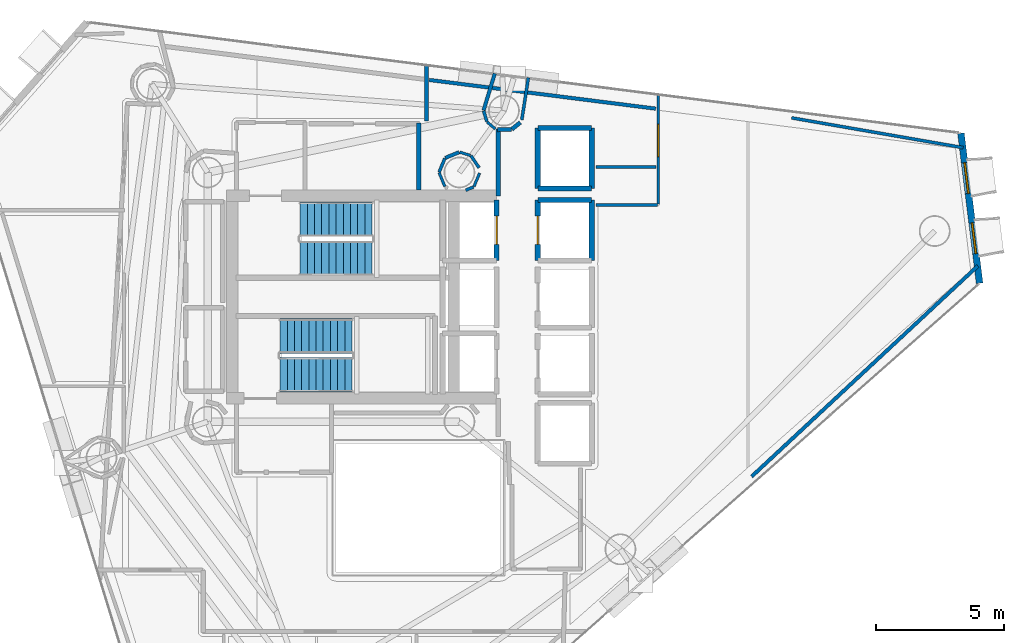
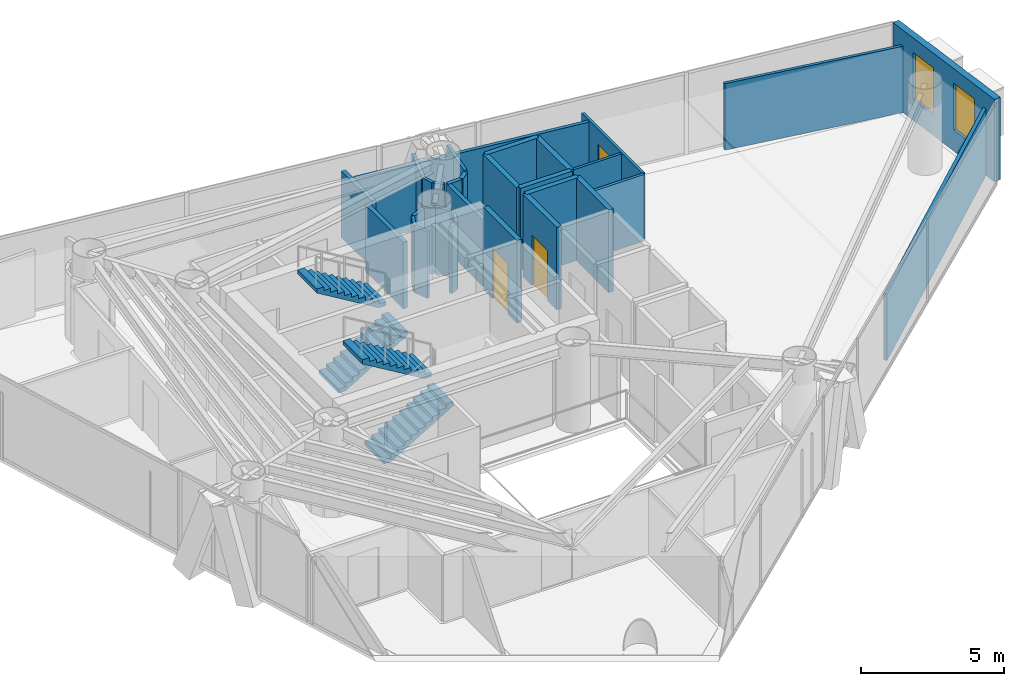
# One storey, part 20 of 23: 31 walls, 4 stair flights, 3 doors, 2 windows, 5 openings, 2 elements without a shape of their own.
"""IFC4 building model written with IfcOpenShell, lengths in metres."""

from ifc_helpers import new_model, si_unit, direction, frame, frame_2d, origin, place, context, subcontext, project, spatial, polyline, rectangle, outline, extrude, material, layer, layer_set, type_object, element, fill, aggregate, save


model = new_model("IFC4")

# Units and contexts
model_context = context("Model", 3, precision=1e-05, world=origin(), true_north=direction((0.0, 1.0)))
body_context = subcontext(model_context, "Body", "Model", "MODEL_VIEW")
ifc_project = project(units=[si_unit("LENGTHUNIT", "METRE"), si_unit("AREAUNIT", "SQUARE_METRE"), si_unit("VOLUMEUNIT", "CUBIC_METRE"), si_unit("PLANEANGLEUNIT", "RADIAN"), si_unit("MASSUNIT", "GRAM", prefix="KILO")], contexts=[model_context])

# Site, building, storey
site_placement = place(None, origin())
site = spatial("IfcSite", under=ifc_project, at=site_placement, CompositionType="ELEMENT")
building_placement = place(site_placement, origin())
building = spatial("IfcBuilding", under=site, at=building_placement, Name="Qianvela Tower", CompositionType="ELEMENT")
storey_placement = place(building_placement, frame((0.0, 0.0, 218.800048828125)))
storey = spatial("IfcBuildingStorey", under=building, at=storey_placement, Name="L56", CompositionType="ELEMENT", Elevation=218.800048828125)

# Wall, openings, windows
ifc_material_1 = material(Name="Terracotta Cladding on Concrete C40", Category="masonry")
ifc_layer_1 = layer(ifc_material_1, 0.260009765625)
ifc_layer_set_1 = layer_set([ifc_layer_1], Name="Terracotta Cladding on Concrete C40")
wall_type_1 = type_object("IfcWallType", Name="TERRACOTTA-WALL-260", PredefinedType="SOLIDWALL", material=ifc_layer_set_1)
wall_1_placement = place(storey_placement, frame((58.645263671875, 29.2373046875, 0.0), z_axis=(0.0, 0.0, 1.0), x_axis=(-0.123529462053, 0.992340905135, 0.0)))
wall_1 = element("IfcWall", 1, at=wall_1_placement, inside=storey, type_object=wall_type_1, Name="L56 Terracotta Chamfer Facet Wall 1", PredefinedType="SOLIDWALL", context=body_context, shape_type="SweptSolid", body=[
    extrude(rectangle(XDim=5.8876953125, YDim=0.260009765625, at=frame_2d((2.94384765625, 0.0))), origin(), (0.0, 0.0, 1.0), 3.52001953125),
])
opening_1_placement = place(wall_1_placement, frame((1.166259765625, 0.0, 0.89990234375)))
opening_1 = element("IfcOpeningElement", 2, at=opening_1_placement, cuts=wall_1, Name="Opening W-03", PredefinedType="OPENING", context=body_context, shape_type="SweptSolid", body=[
    extrude(rectangle(XDim=1.199951171875, YDim=2.0, at=frame_2d((0.60009765625, 1.0))), frame((0.0, 0.139892578125, 0.0), z_axis=(0.0, -1.0, 0.0), x_axis=(1.0, 0.0, 0.0)), (0.0, 0.0, 1.0), 0.280029296875),
])
opening_2_placement = place(wall_1_placement, frame((3.521240234375, 0.0, 0.89990234375)))
opening_2 = element("IfcOpeningElement", 3, at=opening_2_placement, cuts=wall_1, Name="Opening W-03", PredefinedType="OPENING", context=body_context, shape_type="SweptSolid", body=[
    extrude(rectangle(XDim=1.199951171875, YDim=2.0, at=frame_2d((0.60009765625, 1.0))), frame((0.0, 0.139892578125, 0.0), z_axis=(0.0, -1.0, 0.0), x_axis=(1.0, 0.0, 0.0)), (0.0, 0.0, 1.0), 0.280029296875),
])
ifc_material_2 = material(Name="Thermally Broken Aluminium and Low-E Glass", Category="aluminium")
window_type = type_object("IfcWindowType", Name="WIN-TC-1200x2000", PartitioningType="SINGLE_PANEL", PredefinedType="WINDOW", material=ifc_material_2)
window_1_placement = place(opening_1_placement, origin())
window_1 = element("IfcWindow", 4, at=window_1_placement, inside=storey, type_object=window_type, Name="L56 Chamfer Facet Window 1.1", OverallHeight=2.0, OverallWidth=1.199951171875, PartitioningType="SINGLE_PANEL", PredefinedType="WINDOW", context=body_context, shape_type="SweptSolid", body=[
    extrude(rectangle(XDim=1.199951171875, YDim=2.0, at=frame_2d((0.60009765625, 1.0))), frame((0.0, 0.030029296875, 0.0), z_axis=(0.0, -1.0, 0.0), x_axis=(1.0, 0.0, 0.0)), (0.0, 0.0, 1.0), 0.06005859375),
])
fill(opening_1, window_1)
window_2_placement = place(opening_2_placement, origin())
window_2 = element("IfcWindow", 5, at=window_2_placement, inside=storey, type_object=window_type, Name="L56 Chamfer Facet Window 1.2", OverallHeight=2.0, OverallWidth=1.199951171875, PartitioningType="SINGLE_PANEL", PredefinedType="WINDOW", context=body_context, shape_type="SweptSolid", body=[
    extrude(rectangle(XDim=1.199951171875, YDim=2.0, at=frame_2d((0.60009765625, 1.0))), frame((0.0, 0.030029296875, 0.0), z_axis=(0.0, -1.0, 0.0), x_axis=(1.0, 0.0, 0.0)), (0.0, 0.0, 1.0), 0.06005859375),
])
fill(opening_2, window_2)

# Walls
ifc_material_3 = material(Name="Fire-Rated Gypsum and Concrete Block", Category="concrete")
ifc_layer_2 = layer(ifc_material_3, 0.159912109375)
ifc_layer_set_2 = layer_set([ifc_layer_2], Name="Fire-Rated Gypsum and Concrete Block")
wall_type_2 = type_object("IfcWallType", Name="WT-CORR-160", PredefinedType="PARTITIONING", material=ifc_layer_set_2)
wall_2_placement = place(storey_placement, frame((39.910888671875, 32.639892578125, 0.0), z_axis=(0.0, 0.0, 1.0), x_axis=(0.0, 1.0, 0.0)))
element("IfcWall", 6, at=wall_2_placement, inside=storey, type_object=wall_type_2, Name="L56 Partition 12", PredefinedType="PARTITIONING", context=body_context, shape_type="SweptSolid", body=[
    extrude(rectangle(XDim=2.60400390625, YDim=0.159912109375, at=frame_2d((1.302001953125, 0.0))), origin(), (0.0, 0.0, 1.0), 2.83984375),
])
wall_3_placement = place(storey_placement, frame((39.880615234375, 35.212890625, 0.0), z_axis=(0.0, 0.0, 1.0), x_axis=(0.999756500784, 0.02206669754, 0.0)))
element("IfcWall", 7, at=wall_3_placement, inside=storey, type_object=wall_type_2, Name="L56 Partition 13", PredefinedType="PARTITIONING", context=body_context, shape_type="SweptSolid", body=[
    extrude(rectangle(XDim=0.542236328125, YDim=0.159912109375, at=frame_2d((0.27099609375, 0.0))), origin(), (0.0, 0.0, 1.0), 2.83984375),
])
wall_4_placement = place(storey_placement, frame((40.44140625, 35.231689453125, 0.0), z_axis=(0.0, 0.0, 1.0), x_axis=(0.778714564707, 0.627378376033, 0.0)))
element("IfcWall", 8, at=wall_4_placement, inside=storey, type_object=wall_type_2, Name="L56 Partition 14", PredefinedType="PARTITIONING", context=body_context, shape_type="SweptSolid", body=[
    extrude(rectangle(XDim=0.421142578125, YDim=0.159912109375, at=frame_2d((0.21044921875, 0.0))), origin(), (0.0, 0.0, 1.0), 2.83984375),
])
wall_5_placement = place(storey_placement, frame((37.118896484375, 37.739501953125, 0.0), z_axis=(0.0, 0.0, 1.0), x_axis=(0.0, -1.0, 0.0)))
element("IfcWall", 9, at=wall_5_placement, inside=storey, type_object=wall_type_2, Name="L56 Partition 52", PredefinedType="PARTITIONING", context=body_context, shape_type="SweptSolid", body=[
    extrude(rectangle(XDim=2.179443359375, YDim=0.159912109375, at=frame_2d((1.08984375, 0.0))), origin(), (0.0, 0.0, 1.0), 2.83984375),
])

# Wall, opening, door
ifc_material_4 = material(Name="Lightweight Gypsum Room Partition")
ifc_layer_3 = layer(ifc_material_4, 0.10498046875)
ifc_layer_set_3 = layer_set([ifc_layer_3], Name="Lightweight Gypsum Room Partition")
wall_type_3 = type_object("IfcWallType", Name="WT-PART-105", PredefinedType="PARTITIONING", material=ifc_layer_set_3)
wall_6_placement = place(storey_placement, frame((46.135498046875, 32.318115234375, 0.0), z_axis=(0.0, 0.0, 1.0), x_axis=(0.000399588962, 0.999999920164, 0.0)))
wall_6 = element("IfcWall", 10, at=wall_6_placement, inside=storey, type_object=wall_type_3, Name="L56 Partition 104", PredefinedType="PARTITIONING", context=body_context, shape_type="SweptSolid", body=[
    extrude(rectangle(XDim=4.27685546875, YDim=0.10498046875, at=frame_2d((2.138427734375, 0.0))), origin(), (0.0, 0.0, 1.0), 2.83984375),
])
opening_3_placement = place(wall_6_placement, frame((1.849365234375, 0.0, 0.0)))
opening_3 = element("IfcOpeningElement", 11, at=opening_3_placement, cuts=wall_6, Name="Opening D-LG1", PredefinedType="OPENING", context=body_context, shape_type="SweptSolid", body=[
    extrude(rectangle(XDim=1.25, YDim=2.199951171875, at=frame_2d((0.625, 1.10009765625))), frame((0.0, 0.0625, 0.0), z_axis=(0.0, -1.0, 0.0), x_axis=(1.0, 0.0, 0.0)), (0.0, 0.0, 1.0), 0.125),
])
ifc_material_5 = material(Name="Anodised Aluminium Acoustic Glass Door", Category="aluminium")
door_type_1 = type_object("IfcDoorType", Name="DT-LOUNGE-1250", OperationType="NOTDEFINED", PredefinedType="DOOR", material=ifc_material_5)
door_1_placement = place(opening_3_placement, origin())
door_1 = element("IfcDoor", 12, at=door_1_placement, inside=storey, type_object=door_type_1, Name="L56 Door Academic Cellular Office L56-04 to Quiet Desk Workspace L56-03", OperationType="SINGLE_SWING_LEFT", OverallHeight=2.199951171875, OverallWidth=1.25, PredefinedType="DOOR", context=body_context, shape_type="SweptSolid", body=[
    extrude(rectangle(XDim=1.25, YDim=2.199951171875, at=frame_2d((0.625, 1.10009765625))), frame((0.0, 0.02490234375, 0.0), z_axis=(0.0, -1.0, 0.0), x_axis=(1.0, 0.0, 0.0)), (0.0, 0.0, 1.0), 0.050048828125),
])
fill(opening_3, door_1)

# Walls
wall_7_placement = place(storey_placement, frame((39.47900390625, 35.51220703125, 0.0), z_axis=(0.0, 0.0, 1.0), x_axis=(0.764834909506, -0.644226327622, 0.0)))
element("IfcWall", 13, at=wall_7_placement, inside=storey, type_object=wall_type_3, Name="L56 Partition 113", PredefinedType="PARTITIONING", context=body_context, shape_type="SweptSolid", body=[
    extrude(rectangle(XDim=0.4150390625, YDim=0.10498046875, at=frame_2d((0.20751953125, 0.0))), origin(), (0.0, 0.0, 1.0), 2.83984375),
])
wall_8_placement = place(storey_placement, frame((38.831298828125, 34.211669921875, 0.0), z_axis=(0.0, 0.0, 1.0), x_axis=(-0.957061618741, 0.289884559665, 0.0)))
element("IfcWall", 14, at=wall_8_placement, inside=storey, type_object=wall_type_3, Name="L56 Partition 116", PredefinedType="PARTITIONING", context=body_context, shape_type="SweptSolid", body=[
    extrude(rectangle(XDim=0.44140625, YDim=0.10498046875, at=frame_2d((0.220703125, 0.0))), origin(), (0.0, 0.0, 1.0), 2.83984375),
])
wall_9_placement = place(storey_placement, frame((37.611328125, 33.5380859375, 0.0), z_axis=(0.0, 0.0, 1.0), x_axis=(0.382796622927, -0.923832639322, 0.0)))
element("IfcWall", 15, at=wall_9_placement, inside=storey, type_object=wall_type_3, Name="L56 Partition 119", PredefinedType="PARTITIONING", context=body_context, shape_type="SweptSolid", body=[
    extrude(rectangle(XDim=0.58154296875, YDim=0.10498046875, at=frame_2d((0.290771484375, 0.0))), origin(), (0.0, 0.0, 1.0), 2.83984375),
])
wall_10_placement = place(storey_placement, frame((38.966064453125, 33.00048828125, 0.0), z_axis=(0.0, 0.0, 1.0), x_axis=(0.389247517771, 0.921133198788, 0.0)))
element("IfcWall", 16, at=wall_10_placement, inside=storey, type_object=wall_type_3, Name="L56 Partition 122", PredefinedType="PARTITIONING", context=body_context, shape_type="SweptSolid", body=[
    extrude(rectangle(XDim=0.568359375, YDim=0.10498046875, at=frame_2d((0.2841796875, 0.0))), origin(), (0.0, 0.0, 1.0), 2.83984375),
])
wall_11_placement = place(storey_placement, frame((46.043212890625, 33.76416015625, 0.0), z_axis=(0.0, 0.0, 1.0), x_axis=(-0.999996819601, -0.002522060075, 0.0)))
element("IfcWall", 17, at=wall_11_placement, inside=storey, type_object=wall_type_3, Name="L56 Partition 128", PredefinedType="PARTITIONING", context=body_context, shape_type="SweptSolid", body=[
    extrude(rectangle(XDim=2.3232421875, YDim=0.10498046875, at=frame_2d((1.16162109375, 0.0))), origin(), (0.0, 0.0, 1.0), 2.83984375),
])
ifc_material_6 = material(Name="Insulated Gypsum Stud Partition")
ifc_layer_4 = layer(ifc_material_6, 0.1201171875)
ifc_layer_set_4 = layer_set([ifc_layer_4], Name="Insulated Gypsum Stud Partition")
wall_type_4 = type_object("IfcWallType", Name="WT-PART-120", PredefinedType="PARTITIONING", material=ifc_layer_set_4)
wall_12_placement = place(storey_placement, frame((51.326904296875, 35.67431640625, 0.0), z_axis=(0.0, 0.0, 1.0), x_axis=(0.985225755906, -0.171260649011, 0.0)))
element("IfcWall", 18, at=wall_12_placement, inside=storey, type_object=wall_type_4, Name="L56 Partition 94 seg 1", PredefinedType="PARTITIONING", context=body_context, shape_type="SweptSolid", body=[
    extrude(rectangle(XDim=6.78125, YDim=0.1201171875, at=frame_2d((3.390625, 0.0))), origin(), (0.0, 0.0, 1.0), 2.83984375),
])
wall_13_placement = place(storey_placement, frame((43.719970703125, 32.287109375, 0.0), z_axis=(0.0, 0.0, 1.0), x_axis=(1.0, 0.0, 0.0)))
element("IfcWall", 19, at=wall_13_placement, inside=storey, type_object=wall_type_4, Name="L56 Partition 103", PredefinedType="PARTITIONING", context=body_context, shape_type="SweptSolid", body=[
    extrude(rectangle(XDim=2.384521484375, YDim=0.1201171875, at=frame_2d((1.1923828125, 0.0))), origin(), (0.0, 0.0, 1.0), 2.83984375),
])
wall_14_placement = place(storey_placement, frame((40.827880859375, 35.59521484375, 0.0), z_axis=(0.0, 0.0, 1.0), x_axis=(0.154475519744, 0.98799661629, 0.0)))
element("IfcWall", 20, at=wall_14_placement, inside=storey, type_object=wall_type_4, Name="L56 Partition 106", PredefinedType="PARTITIONING", context=body_context, shape_type="SweptSolid", body=[
    extrude(rectangle(XDim=1.6611328125, YDim=0.1201171875, at=frame_2d((0.83056640625, 0.0))), origin(), (0.0, 0.0, 1.0), 2.83984375),
])
wall_15_placement = place(storey_placement, frame((39.34130859375, 35.948974609375, 0.0), z_axis=(0.0, 0.0, 1.0), x_axis=(0.290544943199, -0.956861346268, 0.0)))
element("IfcWall", 21, at=wall_15_placement, inside=storey, type_object=wall_type_4, Name="L56 Partition 112", PredefinedType="PARTITIONING", context=body_context, shape_type="SweptSolid", body=[
    extrude(rectangle(XDim=0.441162109375, YDim=0.1201171875, at=frame_2d((0.220703125, 0.0))), origin(), (0.0, 0.0, 1.0), 2.83984375),
])
wall_16_placement = place(storey_placement, frame((39.16552734375, 33.7333984375, 0.0), z_axis=(0.0, 0.0, 1.0), x_axis=(-0.563162199293, 0.826346378517, 0.0)))
element("IfcWall", 22, at=wall_16_placement, inside=storey, type_object=wall_type_4, Name="L56 Partition 115", PredefinedType="PARTITIONING", context=body_context, shape_type="SweptSolid", body=[
    extrude(rectangle(XDim=0.56396484375, YDim=0.1201171875, at=frame_2d((0.281982421875, 0.0))), origin(), (0.0, 0.0, 1.0), 2.83984375),
])
wall_17_placement = place(storey_placement, frame((37.833984375, 34.099365234375, 0.0), z_axis=(0.0, 0.0, 1.0), x_axis=(-0.382796622927, -0.923832639322, 0.0)))
element("IfcWall", 23, at=wall_17_placement, inside=storey, type_object=wall_type_4, Name="L56 Partition 118", PredefinedType="PARTITIONING", context=body_context, shape_type="SweptSolid", body=[
    extrude(rectangle(XDim=0.58154296875, YDim=0.1201171875, at=frame_2d((0.290771484375, 0.0))), origin(), (0.0, 0.0, 1.0), 2.83984375),
])
wall_18_placement = place(storey_placement, frame((38.64501953125, 32.85791015625, 0.0), z_axis=(0.0, 0.0, 1.0), x_axis=(0.923908393326, 0.382613748761, 0.0)))
element("IfcWall", 24, at=wall_18_placement, inside=storey, type_object=wall_type_4, Name="L56 Partition 121", PredefinedType="PARTITIONING", context=body_context, shape_type="SweptSolid", body=[
    extrude(rectangle(XDim=0.329345703125, YDim=0.1201171875, at=frame_2d((0.16455078125, 0.0))), origin(), (0.0, 0.0, 1.0), 2.83984375),
])
ifc_material_7 = material(Name="Moisture-Resistant Acoustic Plumbing Wall")
ifc_layer_5 = layer(ifc_material_7, 0.175048828125)
ifc_layer_set_5 = layer_set([ifc_layer_5], Name="Moisture-Resistant Acoustic Plumbing Wall")
wall_type_5 = type_object("IfcWallType", Name="WT-PLUMB-175", PredefinedType="PLUMBINGWALL", material=ifc_layer_set_5)
wall_19_placement = place(storey_placement, frame((36.819091796875, 35.47998046875, 0.0), z_axis=(0.0, 0.0, 1.0), x_axis=(0.0, -1.0, 0.0)))
element("IfcWall", 25, at=wall_19_placement, inside=storey, type_object=wall_type_5, Name="L56 Partition 23", PredefinedType="PLUMBINGWALL", context=body_context, shape_type="SweptSolid", body=[
    extrude(rectangle(XDim=2.6220703125, YDim=0.175048828125, at=frame_2d((1.31103515625, 0.0))), origin(), (0.0, 0.0, 1.0), 2.83984375),
])
ifc_material_8 = material(Name="Acoustic Double Gypsum Stud Partition")
ifc_layer_6 = layer(ifc_material_8, 0.139892578125)
ifc_layer_set_6 = layer_set([ifc_layer_6], Name="Acoustic Double Gypsum Stud Partition")
wall_type_6 = type_object("IfcWallType", Name="WT-ROOM-140", PredefinedType="PARTITIONING", material=ifc_layer_set_6)
wall_20_placement = place(storey_placement, frame((58.577880859375, 29.9130859375, 0.0), z_axis=(0.0, 0.0, 1.0), x_axis=(-0.731897463865, -0.681414779989, 0.0)))
element("IfcWall", 26, at=wall_20_placement, inside=storey, type_object=wall_type_6, Name="L56 Partition 96 seg 1", PredefinedType="PARTITIONING", context=body_context, shape_type="SweptSolid", body=[
    extrude(rectangle(XDim=12.0322265625, YDim=0.139892578125, at=frame_2d((6.01611328125, 0.0))), origin(), (0.0, 0.0, 1.0), 2.83984375),
])
wall_21_placement = place(storey_placement, frame((39.776611328125, 37.402099609375, 0.0), z_axis=(0.0, 0.0, 1.0), x_axis=(-0.290273972187, -0.956943583014, 0.0)))
element("IfcWall", 27, at=wall_21_placement, inside=storey, type_object=wall_type_6, Name="L56 Partition 111", PredefinedType="PARTITIONING", context=body_context, shape_type="SweptSolid", body=[
    extrude(rectangle(XDim=1.49951171875, YDim=0.139892578125, at=frame_2d((0.749755859375, 0.0))), origin(), (0.0, 0.0, 1.0), 2.83984375),
])
wall_22_placement = place(storey_placement, frame((38.38818359375, 34.338623046875, 0.0), z_axis=(0.0, 0.0, 1.0), x_axis=(-0.923894108428, -0.382648241093, 0.0)))
element("IfcWall", 28, at=wall_22_placement, inside=storey, type_object=wall_type_6, Name="L56 Partition 117", PredefinedType="PARTITIONING", context=body_context, shape_type="SweptSolid", body=[
    extrude(rectangle(XDim=0.581787109375, YDim=0.139892578125, at=frame_2d((0.291015625, 0.0))), origin(), (0.0, 0.0, 1.0), 2.83984375),
])
wall_23_placement = place(storey_placement, frame((37.22607421875, 37.150390625, 0.0), z_axis=(0.0, 0.0, 1.0), x_axis=(0.992042774502, -0.125901284976, 0.0)))
element("IfcWall", 29, at=wall_23_placement, inside=storey, type_object=wall_type_6, Name="L56 Partition 126 seg 1", PredefinedType="PARTITIONING", context=body_context, shape_type="SweptSolid", body=[
    extrude(rectangle(XDim=8.88525390625, YDim=0.139892578125, at=frame_2d((4.442626953125, 0.0))), origin(), (0.0, 0.0, 1.0), 2.83984375),
])

# Wall, opening, door
ifc_material_9 = material(Name="Concrete C50", Category="concrete")
ifc_layer_7 = layer(ifc_material_9, 0.199951171875)
ifc_layer_set_7 = layer_set([ifc_layer_7], Name="Concrete C50")
wall_type_7 = type_object("IfcWallType", Name="WT-SHAFT-200", PredefinedType="SOLIDWALL", material=ifc_layer_set_7)
wall_24_placement = place(storey_placement, frame((39.85009765625, 30.1201171875, 0.0), z_axis=(0.0, 0.0, 1.0), x_axis=(0.0, 1.0, 0.0)))
wall_24 = element("IfcWall", 30, at=wall_24_placement, inside=storey, type_object=wall_type_7, Name="L56 Lift FL-1 E Shaft Wall", PredefinedType="SOLIDWALL", context=body_context, shape_type="SweptSolid", body=[
    extrude(rectangle(XDim=2.35986328125, YDim=0.199951171875, at=frame_2d((1.179931640625, 0.0))), origin(), (0.0, 0.0, 1.0), 3.52001953125),
])
opening_4_placement = place(wall_24_placement, frame((0.6298828125, 0.0, 0.0)))
opening_4 = element("IfcOpeningElement", 31, at=opening_4_placement, cuts=wall_24, Name="Opening LD-01", PredefinedType="OPENING", context=body_context, shape_type="SweptSolid", body=[
    extrude(rectangle(XDim=1.10009765625, YDim=2.14990234375, at=frame_2d((0.550048828125, 1.074951171875))), frame((0.0, 0.10986328125, 0.0), z_axis=(0.0, -1.0, 0.0), x_axis=(1.0, 0.0, 0.0)), (0.0, 0.0, 1.0), 0.219970703125),
])
ifc_material_10 = material(Name="Brushed Stainless Steel Lift Landing Door", Category="steel")
door_type_2 = type_object("IfcDoorType", Name="DT-LIFT-SLIDE-1100", OperationType="SLIDING_TO_LEFT", PredefinedType="DOOR", material=ifc_material_10)
door_2_placement = place(opening_4_placement, origin())
door_2 = element("IfcDoor", 32, at=door_2_placement, inside=storey, type_object=door_type_2, Name="L56 Lift FL-1 Sliding Landing Door", OperationType="SLIDING_TO_LEFT", OverallHeight=2.14990234375, OverallWidth=1.10009765625, PredefinedType="DOOR", context=body_context, shape_type="SweptSolid", body=[
    extrude(rectangle(XDim=1.10009765625, YDim=2.14990234375, at=frame_2d((0.550048828125, 1.074951171875))), frame((0.0, 0.02490234375, 0.0), z_axis=(0.0, -1.0, 0.0), x_axis=(1.0, 0.0, 0.0)), (0.0, 0.0, 1.0), 0.050048828125),
])
fill(opening_4, door_2)

# Wall
wall_25_placement = place(storey_placement, frame((43.550048828125, 30.1201171875, 0.0), z_axis=(0.0, 0.0, 1.0), x_axis=(0.0, 1.0, 0.0)))
element("IfcWall", 33, at=wall_25_placement, inside=storey, type_object=wall_type_7, Name="L56 Lift PL-M1 E Shaft Wall", PredefinedType="SOLIDWALL", context=body_context, shape_type="SweptSolid", body=[
    extrude(rectangle(XDim=2.35986328125, YDim=0.199951171875, at=frame_2d((1.179931640625, 0.0))), origin(), (0.0, 0.0, 1.0), 3.52001953125),
])

# Wall, opening, door
wall_26_placement = place(storey_placement, frame((41.449951171875, 30.1201171875, 0.0), z_axis=(0.0, 0.0, 1.0), x_axis=(0.0, 1.0, 0.0)))
wall_26 = element("IfcWall", 34, at=wall_26_placement, inside=storey, type_object=wall_type_7, Name="L56 Lift PL-M1 W Shaft Wall", PredefinedType="SOLIDWALL", context=body_context, shape_type="SweptSolid", body=[
    extrude(rectangle(XDim=2.35986328125, YDim=0.199951171875, at=frame_2d((1.179931640625, 0.0))), origin(), (0.0, 0.0, 1.0), 3.52001953125),
])
opening_5_placement = place(wall_26_placement, frame((0.6298828125, 0.0, 0.0)))
opening_5 = element("IfcOpeningElement", 35, at=opening_5_placement, cuts=wall_26, Name="Opening LD-01", PredefinedType="OPENING", context=body_context, shape_type="SweptSolid", body=[
    extrude(rectangle(XDim=1.10009765625, YDim=2.14990234375, at=frame_2d((0.550048828125, 1.074951171875))), frame((0.0, 0.10986328125, 0.0), z_axis=(0.0, -1.0, 0.0), x_axis=(1.0, 0.0, 0.0)), (0.0, 0.0, 1.0), 0.219970703125),
])
door_3_placement = place(opening_5_placement, origin())
door_3 = element("IfcDoor", 36, at=door_3_placement, inside=storey, type_object=door_type_2, Name="L56 Lift PL-M1 Sliding Landing Door", OperationType="SLIDING_TO_LEFT", OverallHeight=2.14990234375, OverallWidth=1.10009765625, PredefinedType="DOOR", context=body_context, shape_type="SweptSolid", body=[
    extrude(rectangle(XDim=1.10009765625, YDim=2.14990234375, at=frame_2d((0.550048828125, 1.074951171875))), frame((0.0, 0.02490234375, 0.0), z_axis=(0.0, -1.0, 0.0), x_axis=(1.0, 0.0, 0.0)), (0.0, 0.0, 1.0), 0.050048828125),
])
fill(opening_5, door_3)

# Walls
wall_27_placement = place(storey_placement, frame((41.449951171875, 32.47998046875, 0.0), z_axis=(0.0, 0.0, 1.0), x_axis=(1.0, 0.0, 0.0)))
element("IfcWall", 37, at=wall_27_placement, inside=storey, type_object=wall_type_7, Name="L56 Lift PL-M1 N Shaft Wall", PredefinedType="SOLIDWALL", context=body_context, shape_type="SweptSolid", body=[
    extrude(rectangle(XDim=2.10009765625, YDim=0.199951171875, at=frame_2d((1.050048828125, 0.0))), origin(), (0.0, 0.0, 1.0), 3.52001953125),
])
for number, where, z_axis, x_axis, name in (
    (38, (43.550048828125, 32.919921875, 0.0), (0.0, 0.0, 1.0), (0.0, 1.0, 0.0), "L56 Lift PL-H3 E Shaft Wall"),
    (39, (41.449951171875, 32.919921875, 0.0), (0.0, 0.0, 1.0), (0.0, 1.0, 0.0), "L56 Lift PL-H3 W Shaft Wall"),
):
    element("IfcWall", number, at=place(storey_placement, frame(where, z_axis=z_axis, x_axis=x_axis)), inside=storey, type_object=wall_type_7, Name=name, PredefinedType="SOLIDWALL", context=body_context, shape_type="SweptSolid", body=[
        extrude(rectangle(XDim=2.360107421875, YDim=0.199951171875, at=frame_2d((1.18017578125, 0.0))), origin(), (0.0, 0.0, 1.0), 3.52001953125),
    ])
for number, where, z_axis, x_axis, name in (
    (40, (41.449951171875, 35.280029296875, 0.0), (0.0, 0.0, 1.0), (1.0, 0.0, 0.0), "L56 Lift PL-H3 N Shaft Wall"),
    (41, (41.449951171875, 32.919921875, 0.0), (0.0, 0.0, 1.0), (1.0, 0.0, 0.0), "L56 Lift PL-H3 S Shaft Wall"),
):
    element("IfcWall", number, at=place(storey_placement, frame(where, z_axis=z_axis, x_axis=x_axis)), inside=storey, type_object=wall_type_7, Name=name, PredefinedType="SOLIDWALL", context=body_context, shape_type="SweptSolid", body=[
        extrude(rectangle(XDim=2.10009765625, YDim=0.199951171875, at=frame_2d((1.050048828125, 0.0))), origin(), (0.0, 0.0, 1.0), 3.52001953125),
    ])

# Stair, stair flights
ifc_material_11 = material(Name="Concrete C40", Category="concrete")
stair_type = type_object("IfcStairType", Name="ST-DOGLEG-1350-R168-N22", PredefinedType="HALF_TURN_STAIR", material=ifc_material_11)
stair_1_placement = place(storey_placement, origin())
stair_1 = element("IfcStair", 42, at=stair_1_placement, inside=storey, type_object=stair_type, Name="L56 Smoke-Proof Core Stair ST-1", PredefinedType="HALF_TURN_STAIR")
ifc_material_12 = material(Name="Concrete C40", Category="concrete")
stair_flight_type = type_object("IfcStairFlightType", Name="STF-STRAIGHT-R168-P11", PredefinedType="STRAIGHT", material=ifc_material_12)
stair_flight_1_placement = place(storey_placement, frame((32.199951171875, 30.215087890625, 0.0), z_axis=(0.0, 0.0, 1.0), x_axis=(1.0, 0.0, 0.0)))
stair_flight_1 = element("IfcStairFlight", 43, at=stair_flight_1_placement, type_object=stair_flight_type, Name="ST-1 flight 1", NumberOfRisers=11, NumberOfTreads=10, PredefinedType="STRAIGHT", RiserHeight=0.168181818, TreadLength=0.28, context=body_context, shape_type="SweptSolid", body=[
    extrude(outline(polyline([(0.0, 0.0), (0.0, 0.168212890625), (0.280029296875, 0.168212890625), (0.280029296875, 0.33642578125), (0.56005859375, 0.33642578125), (0.56005859375, 0.504638671875), (0.840087890625, 0.504638671875), (0.840087890625, 0.672607421875), (1.1201171875, 0.672607421875), (1.1201171875, 0.8408203125), (1.39990234375, 0.8408203125), (1.39990234375, 1.009033203125), (1.679931640625, 1.009033203125), (1.679931640625, 1.17724609375), (1.9599609375, 1.17724609375), (1.9599609375, 1.345458984375), (2.239990234375, 1.345458984375), (2.239990234375, 1.513671875), (2.52001953125, 1.513671875), (2.52001953125, 1.681884765625), (2.800048828125, 1.681884765625), (2.800048828125, 1.85009765625), (2.800048828125, 1.5068359375), (0.291015625, 0.0), (0.0, 0.0)])), frame((0.0, 0.675048828125, 0.0), z_axis=(0.0, -1.0, 0.0), x_axis=(1.0, 0.0, 0.0)), (0.0, 0.0, 1.0), 1.35009765625),
])
stair_flight_2_placement = place(storey_placement, frame((35.0, 31.72509765625, 1.849853515625), z_axis=(0.0, 0.0, 1.0), x_axis=(-1.0, 0.0, 0.0)))
stair_flight_2 = element("IfcStairFlight", 44, at=stair_flight_2_placement, type_object=stair_flight_type, Name="ST-1 flight 2", NumberOfRisers=11, NumberOfTreads=10, PredefinedType="STRAIGHT", RiserHeight=0.168181818, TreadLength=0.28, context=body_context, shape_type="SweptSolid", body=[
    extrude(outline(polyline([(0.0, 0.0), (0.0, 0.168212890625), (0.280029296875, 0.168212890625), (0.280029296875, 0.33642578125), (0.56005859375, 0.33642578125), (0.56005859375, 0.504638671875), (0.840087890625, 0.504638671875), (0.840087890625, 0.672607421875), (1.1201171875, 0.672607421875), (1.1201171875, 0.8408203125), (1.39990234375, 0.8408203125), (1.39990234375, 1.009033203125), (1.679931640625, 1.009033203125), (1.679931640625, 1.17724609375), (1.9599609375, 1.17724609375), (1.9599609375, 1.345458984375), (2.239990234375, 1.345458984375), (2.239990234375, 1.513671875), (2.52001953125, 1.513671875), (2.52001953125, 1.681884765625), (2.800048828125, 1.681884765625), (2.800048828125, 1.85009765625), (2.800048828125, 1.5068359375), (0.291015625, 0.0), (0.0, 0.0)])), frame((0.0, 0.675048828125, 0.0), z_axis=(0.0, -1.0, 0.0), x_axis=(1.0, 0.0, 0.0)), (0.0, 0.0, 1.0), 1.35009765625),
])
aggregate(stair_1, [stair_flight_1, stair_flight_2])

stair_2_placement = place(storey_placement, origin())
stair_2 = element("IfcStair", 45, at=stair_2_placement, inside=storey, type_object=stair_type, Name="L56 Smoke-Proof Core Stair ST-2", PredefinedType="HALF_TURN_STAIR")
stair_flight_3_placement = place(storey_placement, frame((31.419921875, 25.675048828125, 0.0), z_axis=(0.0, 0.0, 1.0), x_axis=(1.0, 0.0, 0.0)))
stair_flight_3 = element("IfcStairFlight", 46, at=stair_flight_3_placement, type_object=stair_flight_type, Name="ST-2 flight 1", NumberOfRisers=11, NumberOfTreads=10, PredefinedType="STRAIGHT", RiserHeight=0.168181818, TreadLength=0.28, context=body_context, shape_type="SweptSolid", body=[
    extrude(outline(polyline([(0.0, 0.0), (0.0, 0.168212890625), (0.280029296875, 0.168212890625), (0.280029296875, 0.33642578125), (0.56005859375, 0.33642578125), (0.56005859375, 0.504638671875), (0.840087890625, 0.504638671875), (0.840087890625, 0.672607421875), (1.1201171875, 0.672607421875), (1.1201171875, 0.8408203125), (1.39990234375, 0.8408203125), (1.39990234375, 1.009033203125), (1.679931640625, 1.009033203125), (1.679931640625, 1.17724609375), (1.9599609375, 1.17724609375), (1.9599609375, 1.345458984375), (2.239990234375, 1.345458984375), (2.239990234375, 1.513671875), (2.52001953125, 1.513671875), (2.52001953125, 1.681884765625), (2.800048828125, 1.681884765625), (2.800048828125, 1.85009765625), (2.800048828125, 1.5068359375), (0.291015625, 0.0), (0.0, 0.0)])), frame((0.0, 0.675048828125, 0.0), z_axis=(0.0, -1.0, 0.0), x_axis=(1.0, 0.0, 0.0)), (0.0, 0.0, 1.0), 1.35009765625),
])
stair_flight_4_placement = place(storey_placement, frame((34.219970703125, 27.18505859375, 1.849853515625), z_axis=(0.0, 0.0, 1.0), x_axis=(-1.0, 0.0, 0.0)))
stair_flight_4 = element("IfcStairFlight", 47, at=stair_flight_4_placement, type_object=stair_flight_type, Name="ST-2 flight 2", NumberOfRisers=11, NumberOfTreads=10, PredefinedType="STRAIGHT", RiserHeight=0.168181818, TreadLength=0.28, context=body_context, shape_type="SweptSolid", body=[
    extrude(outline(polyline([(0.0, 0.0), (0.0, 0.168212890625), (0.280029296875, 0.168212890625), (0.280029296875, 0.33642578125), (0.56005859375, 0.33642578125), (0.56005859375, 0.504638671875), (0.840087890625, 0.504638671875), (0.840087890625, 0.672607421875), (1.1201171875, 0.672607421875), (1.1201171875, 0.8408203125), (1.39990234375, 0.8408203125), (1.39990234375, 1.009033203125), (1.679931640625, 1.009033203125), (1.679931640625, 1.17724609375), (1.9599609375, 1.17724609375), (1.9599609375, 1.345458984375), (2.239990234375, 1.345458984375), (2.239990234375, 1.513671875), (2.52001953125, 1.513671875), (2.52001953125, 1.681884765625), (2.800048828125, 1.681884765625), (2.800048828125, 1.85009765625), (2.800048828125, 1.5068359375), (0.291015625, 0.0), (0.0, 0.0)])), frame((0.0, 0.675048828125, 0.0), z_axis=(0.0, -1.0, 0.0), x_axis=(1.0, 0.0, 0.0)), (0.0, 0.0, 1.0), 1.35009765625),
])
aggregate(stair_2, [stair_flight_3, stair_flight_4])

save(model, "model.ifc")
